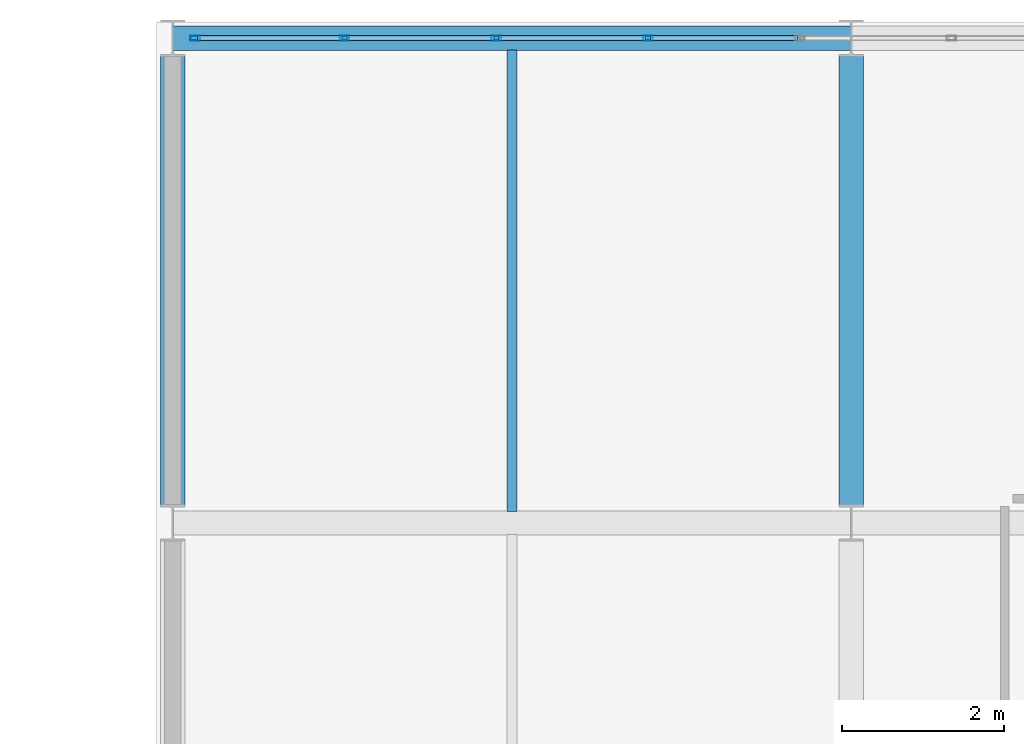
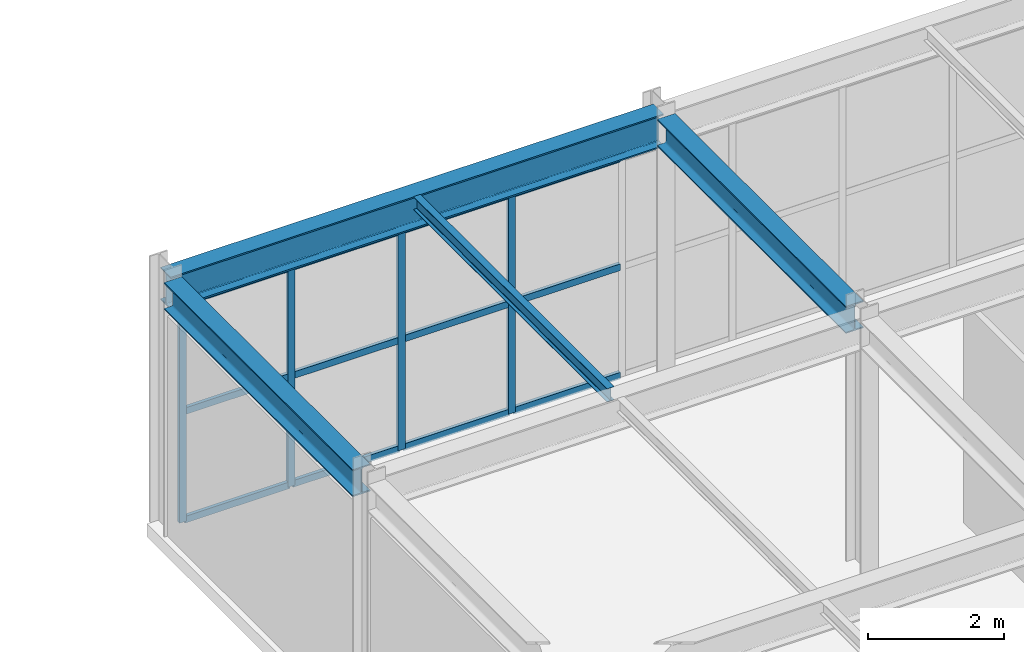
# One storey, part 81 of 112: 16 members, 4 beams, 1 element without a shape of its own.
"""IFC4 building model written with IfcOpenShell, lengths in metres."""

from ifc_helpers import new_model, si_unit, direction, frame, origin, origin_2d, place, context, subcontext, project, spatial, hollow_rectangle, i_section, extrude, material, material_profile, profile_set, type_object, element, aggregate, save


model = new_model("IFC4")

# Units and contexts
model_context = context("Model", 3, precision=1e-05, world=origin(), true_north=direction((0.0, 1.0)))
body_context = subcontext(model_context, "Body", "Model", "MODEL_VIEW")
ifc_project = project(units=[si_unit("LENGTHUNIT", "METRE"), si_unit("AREAUNIT", "SQUARE_METRE"), si_unit("VOLUMEUNIT", "CUBIC_METRE"), si_unit("PLANEANGLEUNIT", "RADIAN"), si_unit("MASSUNIT", "GRAM", prefix="KILO")], contexts=[model_context])

# Site, building, storey
site_placement = place(None, origin())
site = spatial("IfcSite", under=ifc_project, at=site_placement, CompositionType="ELEMENT")
building_placement = place(site_placement, origin())
building = spatial("IfcBuilding", under=site, at=building_placement, Name="Kaldris Quays Convention Centre", CompositionType="ELEMENT")
storey_placement = place(building_placement, frame((0.0, 0.0, 16.800048828125)))
storey = spatial("IfcBuildingStorey", under=building, at=storey_placement, Name="L03", CompositionType="ELEMENT", Elevation=16.800048828125)

# Curtain wall, members
ifc_material_1 = material(Name="Anodized aluminium AW-6060 and triple glazing", Category="aluminium")
curtain_wall_type = type_object("IfcCurtainWallType", Name="UNITISED CURTAIN WALL CW05", PredefinedType="NOTDEFINED", material=ifc_material_1)
curtain_wall_placement = place(storey_placement, origin())
curtain_wall = element("IfcCurtainWall", 1, at=curtain_wall_placement, inside=storey, type_object=curtain_wall_type, Name="L03 Unitised Curtain Wall CW05 148", PredefinedType="NOTDEFINED")
ifc_material_2 = material(Name="Anodized aluminium AW-6060", Category="aluminium")
ifc_material_profile_1 = material_profile(ifc_material_2, hollow_rectangle(XDim=0.06005859375, YDim=0.1201171875, WallThickness=0.00390625, at=origin_2d()), Name="RHS 120x60x4")
ifc_profile_set_1 = profile_set([ifc_material_profile_1], Name="Anodized aluminium AW-6060")
member_type_1 = type_object("IfcMemberType", Name="CURTAIN MULLION CWM3", PredefinedType="MULLION", material=ifc_profile_set_1)
member_1_placement = place(storey_placement, frame((146.8798828125, 116.0, 0.0), z_axis=(0.0, 0.0, 1.0), x_axis=(0.0, 1.0, 0.0)))
member_1 = element("IfcMember", 2, at=member_1_placement, type_object=member_type_1, Name="CW05 mullion 1", PredefinedType="MULLION", context=body_context, shape_type="SweptSolid", body=[
    extrude(hollow_rectangle(XDim=0.06005859375, YDim=0.1201171875, WallThickness=0.00390625, at=origin_2d()), origin(), (0.0, 0.0, 1.0), 3.967041015625),
])
member_2_placement = place(storey_placement, frame((148.727783203125, 116.0, 0.0), z_axis=(0.0, 0.0, 1.0), x_axis=(0.0, 1.0, 0.0)))
member_2 = element("IfcMember", 3, at=member_2_placement, type_object=member_type_1, Name="CW05 mullion 2", PredefinedType="MULLION", context=body_context, shape_type="SweptSolid", body=[
    extrude(hollow_rectangle(XDim=0.06005859375, YDim=0.1201171875, WallThickness=0.00390625, at=origin_2d()), origin(), (0.0, 0.0, 1.0), 3.967041015625),
])
member_3_placement = place(storey_placement, frame((150.60546875, 116.0, 0.0), z_axis=(0.0, 0.0, 1.0), x_axis=(0.0, 1.0, 0.0)))
member_3 = element("IfcMember", 4, at=member_3_placement, type_object=member_type_1, Name="CW05 mullion 3", PredefinedType="MULLION", context=body_context, shape_type="SweptSolid", body=[
    extrude(hollow_rectangle(XDim=0.06005859375, YDim=0.1201171875, WallThickness=0.00390625, at=origin_2d()), origin(), (0.0, 0.0, 1.0), 3.967041015625),
])
member_4_placement = place(storey_placement, frame((152.4833984375, 116.0, 0.0), z_axis=(0.0, 0.0, 1.0), x_axis=(0.0, 1.0, 0.0)))
member_4 = element("IfcMember", 5, at=member_4_placement, type_object=member_type_1, Name="CW05 mullion 4", PredefinedType="MULLION", context=body_context, shape_type="SweptSolid", body=[
    extrude(hollow_rectangle(XDim=0.06005859375, YDim=0.1201171875, WallThickness=0.00390625, at=origin_2d()), origin(), (0.0, 0.0, 1.0), 3.967041015625),
])
ifc_material_profile_2 = material_profile(ifc_material_2, hollow_rectangle(XDim=0.06005859375, YDim=0.1201171875, WallThickness=0.00390625, at=origin_2d()), Name="RHS 120x60x4")
ifc_profile_set_2 = profile_set([ifc_material_profile_2], Name="Anodized aluminium AW-6060")
member_type_2 = type_object("IfcMemberType", Name="CURTAIN TRANSOM CWT1", PredefinedType="USERDEFINED", material=ifc_profile_set_2)
member_5_placement = place(storey_placement, frame((146.909912109375, 116.0, 0.030029296875), z_axis=(1.0, 0.0, 0.0), x_axis=(0.0, 1.0, 0.0)))
member_5 = element("IfcMember", 6, at=member_5_placement, type_object=member_type_2, Name="CW05 transom 1.1", ObjectType="TRANSOM", PredefinedType="USERDEFINED", context=body_context, shape_type="SweptSolid", body=[
    extrude(hollow_rectangle(XDim=0.06005859375, YDim=0.1201171875, WallThickness=0.00390625, at=origin_2d()), origin(), (0.0, 0.0, 1.0), 1.787841796875),
])
member_6_placement = place(storey_placement, frame((146.909912109375, 116.0, 1.98388671875), z_axis=(1.0, 0.0, 0.0), x_axis=(0.0, 1.0, 0.0)))
member_6 = element("IfcMember", 7, at=member_6_placement, type_object=member_type_2, Name="CW05 transom 1.2", ObjectType="TRANSOM", PredefinedType="USERDEFINED", context=body_context, shape_type="SweptSolid", body=[
    extrude(hollow_rectangle(XDim=0.06005859375, YDim=0.1201171875, WallThickness=0.00390625, at=origin_2d()), origin(), (0.0, 0.0, 1.0), 1.787841796875),
])
member_7_placement = place(storey_placement, frame((146.909912109375, 116.0, 3.93701171875), z_axis=(1.0, 0.0, 0.0), x_axis=(0.0, 1.0, 0.0)))
member_7 = element("IfcMember", 8, at=member_7_placement, type_object=member_type_2, Name="CW05 transom 1.3", ObjectType="TRANSOM", PredefinedType="USERDEFINED", context=body_context, shape_type="SweptSolid", body=[
    extrude(hollow_rectangle(XDim=0.06005859375, YDim=0.1201171875, WallThickness=0.00390625, at=origin_2d()), origin(), (0.0, 0.0, 1.0), 1.787841796875),
])
member_8_placement = place(storey_placement, frame((148.7578125, 116.0, 0.030029296875), z_axis=(1.0, 0.0, 0.0), x_axis=(0.0, 1.0, 0.0)))
member_8 = element("IfcMember", 9, at=member_8_placement, type_object=member_type_2, Name="CW05 transom 2.1", ObjectType="TRANSOM", PredefinedType="USERDEFINED", context=body_context, shape_type="SweptSolid", body=[
    extrude(hollow_rectangle(XDim=0.06005859375, YDim=0.1201171875, WallThickness=0.00390625, at=origin_2d()), origin(), (0.0, 0.0, 1.0), 1.817626953125),
])
member_9_placement = place(storey_placement, frame((148.7578125, 116.0, 1.98388671875), z_axis=(1.0, 0.0, 0.0), x_axis=(0.0, 1.0, 0.0)))
member_9 = element("IfcMember", 10, at=member_9_placement, type_object=member_type_2, Name="CW05 transom 2.2", ObjectType="TRANSOM", PredefinedType="USERDEFINED", context=body_context, shape_type="SweptSolid", body=[
    extrude(hollow_rectangle(XDim=0.06005859375, YDim=0.1201171875, WallThickness=0.00390625, at=origin_2d()), origin(), (0.0, 0.0, 1.0), 1.817626953125),
])
member_10_placement = place(storey_placement, frame((148.7578125, 116.0, 3.93701171875), z_axis=(1.0, 0.0, 0.0), x_axis=(0.0, 1.0, 0.0)))
member_10 = element("IfcMember", 11, at=member_10_placement, type_object=member_type_2, Name="CW05 transom 2.3", ObjectType="TRANSOM", PredefinedType="USERDEFINED", context=body_context, shape_type="SweptSolid", body=[
    extrude(hollow_rectangle(XDim=0.06005859375, YDim=0.1201171875, WallThickness=0.00390625, at=origin_2d()), origin(), (0.0, 0.0, 1.0), 1.817626953125),
])
member_11_placement = place(storey_placement, frame((150.635498046875, 116.0, 0.030029296875), z_axis=(1.0, 0.0, 0.0), x_axis=(0.0, 1.0, 0.0)))
member_11 = element("IfcMember", 12, at=member_11_placement, type_object=member_type_2, Name="CW05 transom 3.1", ObjectType="TRANSOM", PredefinedType="USERDEFINED", context=body_context, shape_type="SweptSolid", body=[
    extrude(hollow_rectangle(XDim=0.06005859375, YDim=0.1201171875, WallThickness=0.00390625, at=origin_2d()), origin(), (0.0, 0.0, 1.0), 1.81787109375),
])
member_12_placement = place(storey_placement, frame((150.635498046875, 116.0, 1.98388671875), z_axis=(1.0, 0.0, 0.0), x_axis=(0.0, 1.0, 0.0)))
member_12 = element("IfcMember", 13, at=member_12_placement, type_object=member_type_2, Name="CW05 transom 3.2", ObjectType="TRANSOM", PredefinedType="USERDEFINED", context=body_context, shape_type="SweptSolid", body=[
    extrude(hollow_rectangle(XDim=0.06005859375, YDim=0.1201171875, WallThickness=0.00390625, at=origin_2d()), origin(), (0.0, 0.0, 1.0), 1.81787109375),
])
member_13_placement = place(storey_placement, frame((150.635498046875, 116.0, 3.93701171875), z_axis=(1.0, 0.0, 0.0), x_axis=(0.0, 1.0, 0.0)))
member_13 = element("IfcMember", 14, at=member_13_placement, type_object=member_type_2, Name="CW05 transom 3.3", ObjectType="TRANSOM", PredefinedType="USERDEFINED", context=body_context, shape_type="SweptSolid", body=[
    extrude(hollow_rectangle(XDim=0.06005859375, YDim=0.1201171875, WallThickness=0.00390625, at=origin_2d()), origin(), (0.0, 0.0, 1.0), 1.81787109375),
])
member_14_placement = place(storey_placement, frame((152.513427734375, 116.0, 0.030029296875), z_axis=(1.0, 0.0, 0.0), x_axis=(0.0, 1.0, 0.0)))
member_14 = element("IfcMember", 15, at=member_14_placement, type_object=member_type_2, Name="CW05 transom 4.1", ObjectType="TRANSOM", PredefinedType="USERDEFINED", context=body_context, shape_type="SweptSolid", body=[
    extrude(hollow_rectangle(XDim=0.06005859375, YDim=0.1201171875, WallThickness=0.00390625, at=origin_2d()), origin(), (0.0, 0.0, 1.0), 1.817626953125),
])
member_15_placement = place(storey_placement, frame((152.513427734375, 116.0, 1.98388671875), z_axis=(1.0, 0.0, 0.0), x_axis=(0.0, 1.0, 0.0)))
member_15 = element("IfcMember", 16, at=member_15_placement, type_object=member_type_2, Name="CW05 transom 4.2", ObjectType="TRANSOM", PredefinedType="USERDEFINED", context=body_context, shape_type="SweptSolid", body=[
    extrude(hollow_rectangle(XDim=0.06005859375, YDim=0.1201171875, WallThickness=0.00390625, at=origin_2d()), origin(), (0.0, 0.0, 1.0), 1.817626953125),
])
member_16_placement = place(storey_placement, frame((152.513427734375, 116.0, 3.93701171875), z_axis=(1.0, 0.0, 0.0), x_axis=(0.0, 1.0, 0.0)))
member_16 = element("IfcMember", 17, at=member_16_placement, type_object=member_type_2, Name="CW05 transom 4.3", ObjectType="TRANSOM", PredefinedType="USERDEFINED", context=body_context, shape_type="SweptSolid", body=[
    extrude(hollow_rectangle(XDim=0.06005859375, YDim=0.1201171875, WallThickness=0.00390625, at=origin_2d()), origin(), (0.0, 0.0, 1.0), 1.817626953125),
])
aggregate(curtain_wall, [member_1, member_2, member_3, member_4, member_5, member_6, member_7, member_8, member_9, member_10, member_11, member_12, member_13, member_14, member_15, member_16])

# Beams
ifc_material_3 = material(Name="Steel S355J2", Category="steel")
ifc_material_profile_3 = material_profile(ifc_material_3, i_section(OverallWidth=0.300048828125, OverallDepth=0.590087890625, WebThickness=0.012939453125, FlangeThickness=0.02490234375, FilletRadius=0.027099609375, at=origin_2d()), Name="HEA 600")
ifc_profile_set_3 = profile_set([ifc_material_profile_3], Name="Steel S355J2")
beam_type_1 = type_object("IfcBeamType", Name="STRUCTURAL BEAM BM08", PredefinedType="BEAM", material=ifc_profile_set_3)
beam_1_placement = place(storey_placement, frame((146.60107421875, 116.0, 4.286865234375), z_axis=(1.0, 0.0, 0.0), x_axis=(0.0, 1.0, 0.0)))
element("IfcBeam", 18, at=beam_1_placement, inside=storey, type_object=beam_type_1, Name="L03 Girder BM08 51", PredefinedType="BEAM", context=body_context, shape_type="SweptSolid", body=[
    extrude(i_section(OverallWidth=0.300048828125, OverallDepth=0.590087890625, WebThickness=0.012939453125, FlangeThickness=0.02490234375, FilletRadius=0.027099609375, at=origin_2d()), origin(), (0.0, 0.0, 1.0), 8.39794921875),
])
ifc_material_profile_4 = material_profile(ifc_material_3, i_section(OverallWidth=0.300048828125, OverallDepth=0.489990234375, WebThickness=0.011962890625, FlangeThickness=0.02294921875, FilletRadius=0.027099609375, at=origin_2d()), Name="HEA 500")
ifc_profile_set_4 = profile_set([ifc_material_profile_4], Name="Steel S355J2")
beam_type_2 = type_object("IfcBeamType", Name="STRUCTURAL BEAM BM09", PredefinedType="BEAM", material=ifc_profile_set_4)
for number, where, z_axis, x_axis, name in (
    (19, (146.60009765625, 110.218994140625, 4.3369140625), (0.0, 1.0, 0.0), (-1.0, 0.0, 0.0), "L03 Girder BM09 77"),
    (20, (155.0, 110.218994140625, 4.3369140625), (0.0, 1.0, 0.0), (-1.0, 0.0, 0.0), "L03 Girder BM09 89"),
):
    element("IfcBeam", number, at=place(storey_placement, frame(where, z_axis=z_axis, x_axis=x_axis)), inside=storey, type_object=beam_type_2, Name=name, PredefinedType="BEAM", context=body_context, shape_type="SweptSolid", body=[
        extrude(i_section(OverallWidth=0.300048828125, OverallDepth=0.489990234375, WebThickness=0.011962890625, FlangeThickness=0.02294921875, FilletRadius=0.027099609375, at=origin_2d()), origin(), (0.0, 0.0, 1.0), 5.56201171875),
    ])
ifc_material_profile_5 = material_profile(ifc_material_3, i_section(OverallWidth=0.1201171875, OverallDepth=0.239990234375, WebThickness=0.006103515625, FlangeThickness=0.009765625, FilletRadius=0.014892578125, at=origin_2d()), Name="IPE 240")
ifc_profile_set_5 = profile_set([ifc_material_profile_5], Name="Steel S355J2")
beam_type_3 = type_object("IfcBeamType", Name="STRUCTURAL BEAM JT05", PredefinedType="JOIST", material=ifc_profile_set_5)
beam_2_placement = place(storey_placement, frame((150.800048828125, 110.14404296875, 4.4619140625), z_axis=(0.0, 1.0, 0.0), x_axis=(-1.0, 0.0, 0.0)))
element("IfcBeam", 21, at=beam_2_placement, inside=storey, type_object=beam_type_3, Name="L03 Secondary Joist JT05 31", PredefinedType="JOIST", context=body_context, shape_type="SweptSolid", body=[
    extrude(i_section(OverallWidth=0.1201171875, OverallDepth=0.239990234375, WebThickness=0.006103515625, FlangeThickness=0.009765625, FilletRadius=0.014892578125, at=origin_2d()), origin(), (0.0, 0.0, 1.0), 5.7119140625),
])

save(model, "model.ifc")
